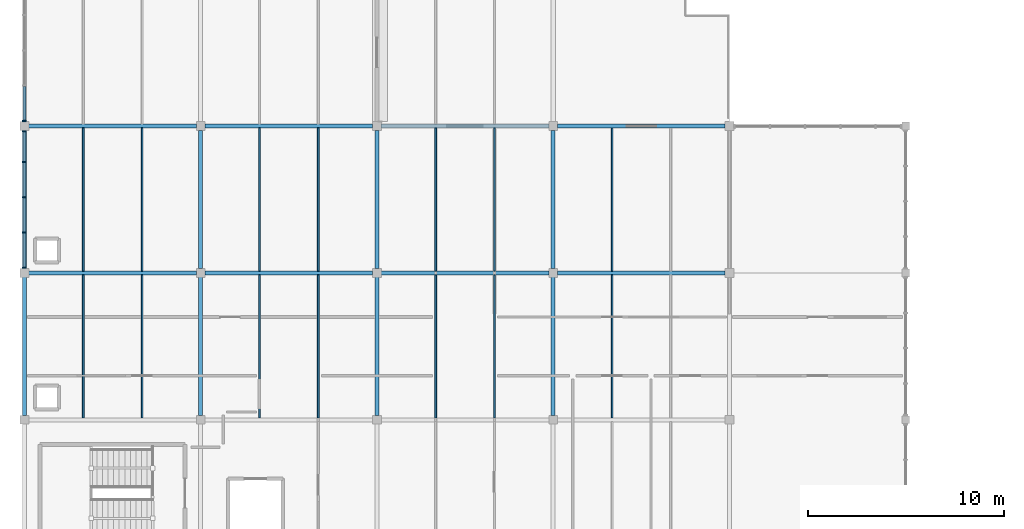
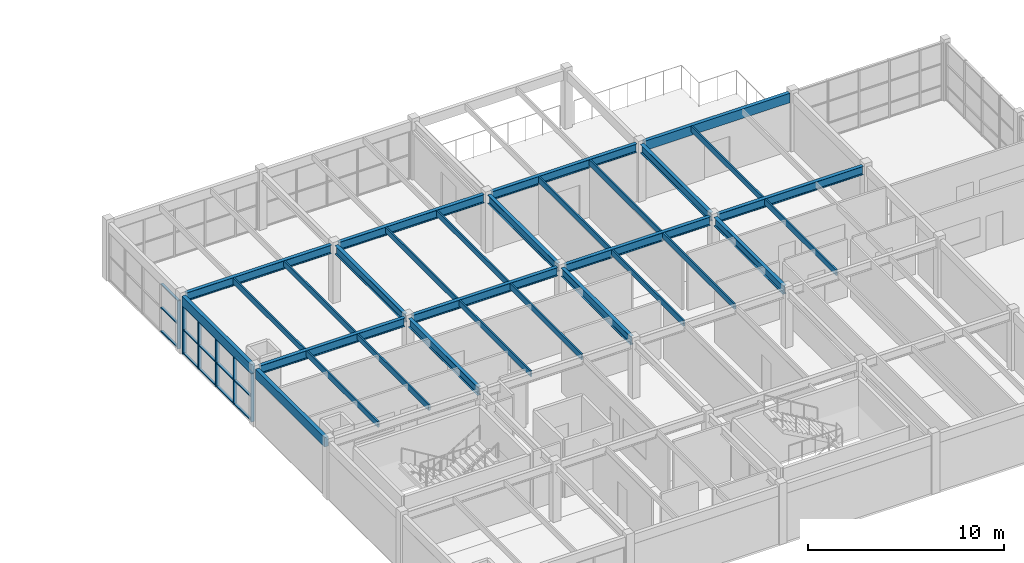
# One storey, part 4 of 45: 30 beams, 21 members, 2 elements without a shape of their own.
"""IFC4 building model written with IfcOpenShell, lengths in metres."""

from ifc_helpers import new_model, si_unit, direction, frame, origin, origin_2d, place, context, subcontext, project, spatial, rectangle, i_section, extrude, material, layer, layer_set, material_profile, profile_set, type_object, element, aggregate, save


model = new_model("IFC4")

# Units and contexts
model_context = context("Model", 3, precision=1e-05, world=origin(), true_north=direction((0.0, 1.0)))
body_context = subcontext(model_context, "Body", "Model", "MODEL_VIEW")
ifc_project = project(units=[si_unit("LENGTHUNIT", "METRE"), si_unit("AREAUNIT", "SQUARE_METRE"), si_unit("VOLUMEUNIT", "CUBIC_METRE"), si_unit("PLANEANGLEUNIT", "RADIAN"), si_unit("MASSUNIT", "GRAM", prefix="KILO")], contexts=[model_context])

# Site, building, storey
site_placement = place(None, origin())
site = spatial("IfcSite", under=ifc_project, at=site_placement, CompositionType="ELEMENT")
building_placement = place(site_placement, origin())
building = spatial("IfcBuilding", under=site, at=building_placement, Name="Marnridge Secondary College", CompositionType="ELEMENT")
storey_placement = place(building_placement, frame((0.0, 0.0, 12.300048828125)))
storey = spatial("IfcBuildingStorey", under=building, at=storey_placement, Name="L03", CompositionType="ELEMENT", Elevation=12.300048828125)

# Beams
ifc_material_1 = material(Name="Glulam timber GL18", Category="wood")
ifc_material_profile_1 = material_profile(ifc_material_1, rectangle(XDim=0.215087890625, YDim=0.5849609375, at=origin_2d()), Name="GL18 215x585")
ifc_profile_set_1 = profile_set([ifc_material_profile_1], Name="Glulam timber GL18")
beam_type_1 = type_object("IfcBeamType", Name="BM-GL585-EXT", PredefinedType="SPANDREL", material=ifc_profile_set_1)
for number, where, z_axis, x_axis, name in (
    (1, (0.0, 15.218994140625, 3.29736328125), (0.0, 1.0, 0.0), (-1.0, 0.0, 0.0), "Beam BS-L03-1117"),
    (2, (0.0, 22.718994140625, 3.29736328125), (0.0, 1.0, 0.0), (-1.0, 0.0, 0.0), "Beam BS-L03-1120"),
):
    element("IfcBeam", number, at=place(storey_placement, frame(where, z_axis=z_axis, x_axis=x_axis)), inside=storey, type_object=beam_type_1, Name=name, PredefinedType="SPANDREL", context=body_context, shape_type="SweptSolid", body=[
        extrude(rectangle(XDim=0.215087890625, YDim=0.5849609375, at=origin_2d()), origin(), (0.0, 0.0, 1.0), 7.06201171875),
    ])
beam_1_placement = place(storey_placement, frame((27.218994140625, 30.0, 3.29736328125), z_axis=(1.0, 0.0, 0.0), x_axis=(0.0, 1.0, 0.0)))
element("IfcBeam", 3, at=beam_1_placement, inside=storey, type_object=beam_type_1, Name="Beam BS-L03-1147", PredefinedType="SPANDREL", context=body_context, shape_type="SweptSolid", body=[
    extrude(rectangle(XDim=0.215087890625, YDim=0.5849609375, at=origin_2d()), origin(), (0.0, 0.0, 1.0), 8.56201171875),
])
ifc_material_2 = material(Name="Engineered timber LVL E13.2", Category="wood")
ifc_material_profile_2 = material_profile(ifc_material_2, rectangle(XDim=0.090087890625, YDim=0.360107421875, at=origin_2d()), Name="LVL 90x360")
ifc_profile_set_2 = profile_set([ifc_material_profile_2], Name="Engineered timber LVL E13.2")
beam_type_2 = type_object("IfcBeamType", Name="BM-LVL360-INT", PredefinedType="JOIST", material=ifc_profile_set_2)
for number, where, z_axis, x_axis, name in (
    (4, (3.0, 15.098388671875, 3.409912109375), (0.0, 1.0, 0.0), (-1.0, 0.0, 0.0), "Beam BJ-L03-1158"),
    (5, (6.0, 15.098388671875, 3.409912109375), (0.0, 1.0, 0.0), (-1.0, 0.0, 0.0), "Beam BJ-L03-1159"),
    (6, (3.0, 22.598388671875, 3.409912109375), (0.0, 1.0, 0.0), (-1.0, 0.0, 0.0), "Beam BJ-L03-1160"),
    (7, (6.0, 22.598388671875, 3.409912109375), (0.0, 1.0, 0.0), (-1.0, 0.0, 0.0), "Beam BJ-L03-1161"),
    (8, (12.0, 15.098388671875, 3.409912109375), (0.0, 1.0, 0.0), (-1.0, 0.0, 0.0), "Beam BJ-L03-1165"),
    (9, (15.0, 15.098388671875, 3.409912109375), (0.0, 1.0, 0.0), (-1.0, 0.0, 0.0), "Beam BJ-L03-1166"),
    (10, (12.0, 22.598388671875, 3.409912109375), (0.0, 1.0, 0.0), (-1.0, 0.0, 0.0), "Beam BJ-L03-1167"),
    (11, (15.0, 22.598388671875, 3.409912109375), (0.0, 1.0, 0.0), (-1.0, 0.0, 0.0), "Beam BJ-L03-1168"),
    (12, (21.0, 15.098388671875, 3.409912109375), (0.0, 1.0, 0.0), (-1.0, 0.0, 0.0), "Beam BJ-L03-1171"),
    (13, (24.0, 15.098388671875, 3.409912109375), (0.0, 1.0, 0.0), (-1.0, 0.0, 0.0), "Beam BJ-L03-1172"),
    (14, (21.0, 22.598388671875, 3.409912109375), (0.0, 1.0, 0.0), (-1.0, 0.0, 0.0), "Beam BJ-L03-1173"),
    (15, (24.0, 22.598388671875, 3.409912109375), (0.0, 1.0, 0.0), (-1.0, 0.0, 0.0), "Beam BJ-L03-1174"),
    (16, (30.0, 15.098388671875, 3.409912109375), (0.0, 1.0, 0.0), (-1.0, 0.0, 0.0), "Beam BJ-L03-1179"),
):
    element("IfcBeam", number, at=place(storey_placement, frame(where, z_axis=z_axis, x_axis=x_axis)), inside=storey, type_object=beam_type_2, Name=name, PredefinedType="JOIST", context=body_context, shape_type="SweptSolid", body=[
        extrude(rectangle(XDim=0.090087890625, YDim=0.360107421875, at=origin_2d()), origin(), (0.0, 0.0, 1.0), 7.30322265625),
    ])
beam_2_placement = place(storey_placement, frame((30.0, 22.598388671875, 3.409912109375), z_axis=(0.0, 1.0, 0.0), x_axis=(-1.0, 0.0, 0.0)))
element("IfcBeam", 17, at=beam_2_placement, inside=storey, type_object=beam_type_2, Name="Beam BJ-L03-1181", PredefinedType="JOIST", context=body_context, shape_type="SweptSolid", body=[
    extrude(rectangle(XDim=0.090087890625, YDim=0.360107421875, at=origin_2d()), origin(), (0.0, 0.0, 1.0), 7.300048828125),
])
ifc_material_3 = material(Name="Structural steel Grade 350 (AS/NZS 3679.1/.2, fy = 340-360 MPa)", Category="steel")
ifc_material_profile_3 = material_profile(ifc_material_3, i_section(OverallWidth=0.208740234375, OverallDepth=0.5283203125, WebThickness=0.009521484375, FlangeThickness=0.01318359375, FilletRadius=0.013916015625, at=origin_2d()), Name="530UB82.0")
ifc_profile_set_3 = profile_set([ifc_material_profile_3], Name="Structural steel Grade 350 (AS/NZS 3679.1/.2, fy = 340-360 MPa)")
beam_type_3 = type_object("IfcBeamType", Name="BM-UB530-INT", PredefinedType="BEAM", material=ifc_profile_set_3)
beam_3_placement = place(storey_placement, frame((0.218994140625, 22.5, 3.32568359375), z_axis=(1.0, 0.0, 0.0), x_axis=(0.0, 1.0, 0.0)))
element("IfcBeam", 18, at=beam_3_placement, inside=storey, type_object=beam_type_3, Name="Beam B-L03-1116", PredefinedType="BEAM", context=body_context, shape_type="SweptSolid", body=[
    extrude(i_section(OverallWidth=0.208740234375, OverallDepth=0.5283203125, WebThickness=0.009521484375, FlangeThickness=0.01318359375, FilletRadius=0.013916015625, at=origin_2d()), origin(), (0.0, 0.0, 1.0), 8.56201171875),
])
beam_4_placement = place(storey_placement, frame((9.0, 15.218994140625, 3.32568359375), z_axis=(0.0, 1.0, 0.0), x_axis=(-1.0, 0.0, 0.0)))
element("IfcBeam", 19, at=beam_4_placement, inside=storey, type_object=beam_type_3, Name="Beam B-L03-1118", PredefinedType="BEAM", context=body_context, shape_type="SweptSolid", body=[
    extrude(i_section(OverallWidth=0.208740234375, OverallDepth=0.5283203125, WebThickness=0.009521484375, FlangeThickness=0.01318359375, FilletRadius=0.013916015625, at=origin_2d()), origin(), (0.0, 0.0, 1.0), 7.06201171875),
])
beam_5_placement = place(storey_placement, frame((0.218994140625, 30.0, 3.32568359375), z_axis=(1.0, 0.0, 0.0), x_axis=(0.0, 1.0, 0.0)))
element("IfcBeam", 20, at=beam_5_placement, inside=storey, type_object=beam_type_3, Name="Beam B-L03-1119", PredefinedType="BEAM", context=body_context, shape_type="SweptSolid", body=[
    extrude(i_section(OverallWidth=0.208740234375, OverallDepth=0.5283203125, WebThickness=0.009521484375, FlangeThickness=0.01318359375, FilletRadius=0.013916015625, at=origin_2d()), origin(), (0.0, 0.0, 1.0), 8.56201171875),
])
beam_6_placement = place(storey_placement, frame((9.0, 22.718994140625, 3.32568359375), z_axis=(0.0, 1.0, 0.0), x_axis=(-1.0, 0.0, 0.0)))
element("IfcBeam", 21, at=beam_6_placement, inside=storey, type_object=beam_type_3, Name="Beam B-L03-1121", PredefinedType="BEAM", context=body_context, shape_type="SweptSolid", body=[
    extrude(i_section(OverallWidth=0.208740234375, OverallDepth=0.5283203125, WebThickness=0.009521484375, FlangeThickness=0.01318359375, FilletRadius=0.013916015625, at=origin_2d()), origin(), (0.0, 0.0, 1.0), 7.06201171875),
])
beam_7_placement = place(storey_placement, frame((9.218994140625, 22.5, 3.32568359375), z_axis=(1.0, 0.0, 0.0), x_axis=(0.0, 1.0, 0.0)))
element("IfcBeam", 22, at=beam_7_placement, inside=storey, type_object=beam_type_3, Name="Beam B-L03-1127", PredefinedType="BEAM", context=body_context, shape_type="SweptSolid", body=[
    extrude(i_section(OverallWidth=0.208740234375, OverallDepth=0.5283203125, WebThickness=0.009521484375, FlangeThickness=0.01318359375, FilletRadius=0.013916015625, at=origin_2d()), origin(), (0.0, 0.0, 1.0), 8.56201171875),
])
beam_8_placement = place(storey_placement, frame((18.0, 15.218994140625, 3.32568359375), z_axis=(0.0, 1.0, 0.0), x_axis=(-1.0, 0.0, 0.0)))
element("IfcBeam", 23, at=beam_8_placement, inside=storey, type_object=beam_type_3, Name="Beam B-L03-1128", PredefinedType="BEAM", context=body_context, shape_type="SweptSolid", body=[
    extrude(i_section(OverallWidth=0.208740234375, OverallDepth=0.5283203125, WebThickness=0.009521484375, FlangeThickness=0.01318359375, FilletRadius=0.013916015625, at=origin_2d()), origin(), (0.0, 0.0, 1.0), 7.06201171875),
])
beam_9_placement = place(storey_placement, frame((9.218994140625, 30.0, 3.32568359375), z_axis=(1.0, 0.0, 0.0), x_axis=(0.0, 1.0, 0.0)))
element("IfcBeam", 24, at=beam_9_placement, inside=storey, type_object=beam_type_3, Name="Beam B-L03-1129", PredefinedType="BEAM", context=body_context, shape_type="SweptSolid", body=[
    extrude(i_section(OverallWidth=0.208740234375, OverallDepth=0.5283203125, WebThickness=0.009521484375, FlangeThickness=0.01318359375, FilletRadius=0.013916015625, at=origin_2d()), origin(), (0.0, 0.0, 1.0), 8.56201171875),
])
beam_10_placement = place(storey_placement, frame((18.0, 22.718994140625, 3.32568359375), z_axis=(0.0, 1.0, 0.0), x_axis=(-1.0, 0.0, 0.0)))
element("IfcBeam", 25, at=beam_10_placement, inside=storey, type_object=beam_type_3, Name="Beam B-L03-1130", PredefinedType="BEAM", context=body_context, shape_type="SweptSolid", body=[
    extrude(i_section(OverallWidth=0.208740234375, OverallDepth=0.5283203125, WebThickness=0.009521484375, FlangeThickness=0.01318359375, FilletRadius=0.013916015625, at=origin_2d()), origin(), (0.0, 0.0, 1.0), 7.06201171875),
])
beam_11_placement = place(storey_placement, frame((18.218994140625, 22.5, 3.32568359375), z_axis=(1.0, 0.0, 0.0), x_axis=(0.0, 1.0, 0.0)))
element("IfcBeam", 26, at=beam_11_placement, inside=storey, type_object=beam_type_3, Name="Beam B-L03-1136", PredefinedType="BEAM", context=body_context, shape_type="SweptSolid", body=[
    extrude(i_section(OverallWidth=0.208740234375, OverallDepth=0.5283203125, WebThickness=0.009521484375, FlangeThickness=0.01318359375, FilletRadius=0.013916015625, at=origin_2d()), origin(), (0.0, 0.0, 1.0), 8.56201171875),
])
beam_12_placement = place(storey_placement, frame((27.0, 15.218994140625, 3.32568359375), z_axis=(0.0, 1.0, 0.0), x_axis=(-1.0, 0.0, 0.0)))
element("IfcBeam", 27, at=beam_12_placement, inside=storey, type_object=beam_type_3, Name="Beam B-L03-1137", PredefinedType="BEAM", context=body_context, shape_type="SweptSolid", body=[
    extrude(i_section(OverallWidth=0.208740234375, OverallDepth=0.5283203125, WebThickness=0.009521484375, FlangeThickness=0.01318359375, FilletRadius=0.013916015625, at=origin_2d()), origin(), (0.0, 0.0, 1.0), 7.06201171875),
])
beam_13_placement = place(storey_placement, frame((18.218994140625, 30.0, 3.32568359375), z_axis=(1.0, 0.0, 0.0), x_axis=(0.0, 1.0, 0.0)))
element("IfcBeam", 28, at=beam_13_placement, inside=storey, type_object=beam_type_3, Name="Beam B-L03-1138", PredefinedType="BEAM", context=body_context, shape_type="SweptSolid", body=[
    extrude(i_section(OverallWidth=0.208740234375, OverallDepth=0.5283203125, WebThickness=0.009521484375, FlangeThickness=0.01318359375, FilletRadius=0.013916015625, at=origin_2d()), origin(), (0.0, 0.0, 1.0), 8.56201171875),
])
beam_14_placement = place(storey_placement, frame((27.0, 22.718994140625, 3.32568359375), z_axis=(0.0, 1.0, 0.0), x_axis=(-1.0, 0.0, 0.0)))
element("IfcBeam", 29, at=beam_14_placement, inside=storey, type_object=beam_type_3, Name="Beam B-L03-1139", PredefinedType="BEAM", context=body_context, shape_type="SweptSolid", body=[
    extrude(i_section(OverallWidth=0.208740234375, OverallDepth=0.5283203125, WebThickness=0.009521484375, FlangeThickness=0.01318359375, FilletRadius=0.013916015625, at=origin_2d()), origin(), (0.0, 0.0, 1.0), 7.06201171875),
])
beam_15_placement = place(storey_placement, frame((27.218994140625, 22.5, 3.32568359375), z_axis=(1.0, 0.0, 0.0), x_axis=(0.0, 1.0, 0.0)))
element("IfcBeam", 30, at=beam_15_placement, inside=storey, type_object=beam_type_3, Name="Beam B-L03-1145", PredefinedType="BEAM", context=body_context, shape_type="SweptSolid", body=[
    extrude(i_section(OverallWidth=0.208740234375, OverallDepth=0.5283203125, WebThickness=0.009521484375, FlangeThickness=0.01318359375, FilletRadius=0.013916015625, at=origin_2d()), origin(), (0.0, 0.0, 1.0), 8.56201171875),
])

# Curtain wall, members
ifc_material_4 = material(Name="Bronze-anodised aluminium and solar-control glazing", Category="aluminium")
ifc_layer = layer(ifc_material_4, 0.199951171875)
ifc_layer_set = layer_set([ifc_layer], Name="CW-MOD-1800")
curtain_wall_type = type_object("IfcCurtainWallType", Name="CW-MOD-1800", PredefinedType="NOTDEFINED", material=ifc_layer_set)
curtain_wall_1_placement = place(storey_placement, origin())
curtain_wall_1 = element("IfcCurtainWall", 31, at=curtain_wall_1_placement, inside=storey, type_object=curtain_wall_type, Name="Unitised curtain wall CW-L03-136", PredefinedType="NOTDEFINED")
ifc_material_5 = material(Name="Bronze-anodised aluminium 6063-T6", Category="aluminium")
ifc_material_profile_4 = material_profile(ifc_material_5, rectangle(XDim=0.070068359375, YDim=0.199951171875, at=origin_2d()), Name="ALU 70x200")
ifc_profile_set_4 = profile_set([ifc_material_profile_4], Name="Bronze-anodised aluminium 6063-T6")
member_type_1 = type_object("IfcMemberType", Name="CWM-ALU200", PredefinedType="MULLION", material=ifc_profile_set_4)
member_1_placement = place(storey_placement, frame((0.0, 22.763916015625, 0.0), z_axis=(0.0, 0.0, 1.0), x_axis=(0.0, 1.0, 0.0)))
member_1 = element("IfcMember", 32, at=member_1_placement, type_object=member_type_1, Name="CW-L03-136 mullion 1", PredefinedType="MULLION", context=body_context, shape_type="SweptSolid", body=[
    extrude(rectangle(XDim=0.070068359375, YDim=0.199951171875, at=origin_2d()), origin(), (0.0, 0.0, 1.0), 2.9970703125),
])
member_2_placement = place(storey_placement, frame((0.0, 24.56396484375, 0.0), z_axis=(0.0, 0.0, 1.0), x_axis=(0.0, 1.0, 0.0)))
member_2 = element("IfcMember", 33, at=member_2_placement, type_object=member_type_1, Name="CW-L03-136 mullion 2", PredefinedType="MULLION", context=body_context, shape_type="SweptSolid", body=[
    extrude(rectangle(XDim=0.070068359375, YDim=0.199951171875, at=origin_2d()), origin(), (0.0, 0.0, 1.0), 2.9970703125),
])
member_3_placement = place(storey_placement, frame((0.0, 26.364013671875, 0.0), z_axis=(0.0, 0.0, 1.0), x_axis=(0.0, 1.0, 0.0)))
member_3 = element("IfcMember", 34, at=member_3_placement, type_object=member_type_1, Name="CW-L03-136 mullion 3", PredefinedType="MULLION", context=body_context, shape_type="SweptSolid", body=[
    extrude(rectangle(XDim=0.070068359375, YDim=0.199951171875, at=origin_2d()), origin(), (0.0, 0.0, 1.0), 2.9970703125),
])
member_4_placement = place(storey_placement, frame((0.0, 28.1640625, 0.0), z_axis=(0.0, 0.0, 1.0), x_axis=(0.0, 1.0, 0.0)))
member_4 = element("IfcMember", 35, at=member_4_placement, type_object=member_type_1, Name="CW-L03-136 mullion 4", PredefinedType="MULLION", context=body_context, shape_type="SweptSolid", body=[
    extrude(rectangle(XDim=0.070068359375, YDim=0.199951171875, at=origin_2d()), origin(), (0.0, 0.0, 1.0), 2.9970703125),
])
member_5_placement = place(storey_placement, frame((0.0, 29.736083984375, 0.0), z_axis=(0.0, 0.0, 1.0), x_axis=(0.0, 1.0, 0.0)))
member_5 = element("IfcMember", 36, at=member_5_placement, type_object=member_type_1, Name="CW-L03-136 mullion 5", PredefinedType="MULLION", context=body_context, shape_type="SweptSolid", body=[
    extrude(rectangle(XDim=0.070068359375, YDim=0.199951171875, at=origin_2d()), origin(), (0.0, 0.0, 1.0), 2.9970703125),
])

# Curtain wall, member
curtain_wall_2_placement = place(storey_placement, origin())
curtain_wall_2 = element("IfcCurtainWall", 37, at=curtain_wall_2_placement, inside=storey, type_object=curtain_wall_type, Name="Unitised curtain wall CW-L03-137", PredefinedType="NOTDEFINED")
member_6_placement = place(storey_placement, frame((0.0, 30.263916015625, 0.0), z_axis=(0.0, 0.0, 1.0), x_axis=(0.0, 1.0, 0.0)))
member_6 = element("IfcMember", 38, at=member_6_placement, type_object=member_type_1, Name="CW-L03-137 mullion 1", PredefinedType="MULLION", context=body_context, shape_type="SweptSolid", body=[
    extrude(rectangle(XDim=0.070068359375, YDim=0.199951171875, at=origin_2d()), origin(), (0.0, 0.0, 1.0), 2.9970703125),
])

# Member
ifc_material_6 = material(Name="Anodised aluminium 6063-T6", Category="aluminium")
ifc_material_profile_5 = material_profile(ifc_material_6, rectangle(XDim=0.06494140625, YDim=0.139892578125, at=origin_2d()), Name="ALU 65x140")
ifc_profile_set_5 = profile_set([ifc_material_profile_5], Name="Anodised aluminium 6063-T6")
member_type_2 = type_object("IfcMemberType", Name="CWT-ALU140", PredefinedType="USERDEFINED", material=ifc_profile_set_5)
member_7_placement = place(storey_placement, frame((0.0, 22.799072265625, 0.032470703125), z_axis=(0.0, 1.0, 0.0), x_axis=(0.0, 0.0, 1.0)))
member_7 = element("IfcMember", 39, at=member_7_placement, type_object=member_type_2, Name="CW-L03-136 transom 1.1", ObjectType="TRANSOM", PredefinedType="USERDEFINED", context=body_context, shape_type="SweptSolid", body=[
    extrude(rectangle(XDim=0.06494140625, YDim=0.139892578125, at=origin_2d()), origin(), (0.0, 0.0, 1.0), 1.72998046875),
])

member_8_placement = place(storey_placement, frame((0.0, 22.799072265625, 1.4990234375), z_axis=(0.0, 1.0, 0.0), x_axis=(0.0, 0.0, 1.0)))
member_8 = element("IfcMember", 40, at=member_8_placement, type_object=member_type_2, Name="CW-L03-136 transom 1.2", ObjectType="TRANSOM", PredefinedType="USERDEFINED", context=body_context, shape_type="SweptSolid", body=[
    extrude(rectangle(XDim=0.06494140625, YDim=0.139892578125, at=origin_2d()), origin(), (0.0, 0.0, 1.0), 1.72998046875),
])

member_9_placement = place(storey_placement, frame((0.0, 22.799072265625, 2.96435546875), z_axis=(0.0, 1.0, 0.0), x_axis=(0.0, 0.0, 1.0)))
member_9 = element("IfcMember", 41, at=member_9_placement, type_object=member_type_2, Name="CW-L03-136 transom 1.3", ObjectType="TRANSOM", PredefinedType="USERDEFINED", context=body_context, shape_type="SweptSolid", body=[
    extrude(rectangle(XDim=0.06494140625, YDim=0.139892578125, at=origin_2d()), origin(), (0.0, 0.0, 1.0), 1.72998046875),
])

member_10_placement = place(storey_placement, frame((0.0, 24.59912109375, 0.032470703125), z_axis=(0.0, 1.0, 0.0), x_axis=(0.0, 0.0, 1.0)))
member_10 = element("IfcMember", 42, at=member_10_placement, type_object=member_type_2, Name="CW-L03-136 transom 2.1", ObjectType="TRANSOM", PredefinedType="USERDEFINED", context=body_context, shape_type="SweptSolid", body=[
    extrude(rectangle(XDim=0.06494140625, YDim=0.139892578125, at=origin_2d()), origin(), (0.0, 0.0, 1.0), 1.72998046875),
])

member_11_placement = place(storey_placement, frame((0.0, 24.59912109375, 1.4990234375), z_axis=(0.0, 1.0, 0.0), x_axis=(0.0, 0.0, 1.0)))
member_11 = element("IfcMember", 43, at=member_11_placement, type_object=member_type_2, Name="CW-L03-136 transom 2.2", ObjectType="TRANSOM", PredefinedType="USERDEFINED", context=body_context, shape_type="SweptSolid", body=[
    extrude(rectangle(XDim=0.06494140625, YDim=0.139892578125, at=origin_2d()), origin(), (0.0, 0.0, 1.0), 1.72998046875),
])

member_12_placement = place(storey_placement, frame((0.0, 24.59912109375, 2.96435546875), z_axis=(0.0, 1.0, 0.0), x_axis=(0.0, 0.0, 1.0)))
member_12 = element("IfcMember", 44, at=member_12_placement, type_object=member_type_2, Name="CW-L03-136 transom 2.3", ObjectType="TRANSOM", PredefinedType="USERDEFINED", context=body_context, shape_type="SweptSolid", body=[
    extrude(rectangle(XDim=0.06494140625, YDim=0.139892578125, at=origin_2d()), origin(), (0.0, 0.0, 1.0), 1.72998046875),
])

member_13_placement = place(storey_placement, frame((0.0, 26.39892578125, 0.032470703125), z_axis=(0.0, 1.0, 0.0), x_axis=(0.0, 0.0, 1.0)))
member_13 = element("IfcMember", 45, at=member_13_placement, type_object=member_type_2, Name="CW-L03-136 transom 3.1", ObjectType="TRANSOM", PredefinedType="USERDEFINED", context=body_context, shape_type="SweptSolid", body=[
    extrude(rectangle(XDim=0.06494140625, YDim=0.139892578125, at=origin_2d()), origin(), (0.0, 0.0, 1.0), 1.72998046875),
])

member_14_placement = place(storey_placement, frame((0.0, 26.39892578125, 1.4990234375), z_axis=(0.0, 1.0, 0.0), x_axis=(0.0, 0.0, 1.0)))
member_14 = element("IfcMember", 46, at=member_14_placement, type_object=member_type_2, Name="CW-L03-136 transom 3.2", ObjectType="TRANSOM", PredefinedType="USERDEFINED", context=body_context, shape_type="SweptSolid", body=[
    extrude(rectangle(XDim=0.06494140625, YDim=0.139892578125, at=origin_2d()), origin(), (0.0, 0.0, 1.0), 1.72998046875),
])

member_15_placement = place(storey_placement, frame((0.0, 26.39892578125, 2.96435546875), z_axis=(0.0, 1.0, 0.0), x_axis=(0.0, 0.0, 1.0)))
member_15 = element("IfcMember", 47, at=member_15_placement, type_object=member_type_2, Name="CW-L03-136 transom 3.3", ObjectType="TRANSOM", PredefinedType="USERDEFINED", context=body_context, shape_type="SweptSolid", body=[
    extrude(rectangle(XDim=0.06494140625, YDim=0.139892578125, at=origin_2d()), origin(), (0.0, 0.0, 1.0), 1.72998046875),
])

member_16_placement = place(storey_placement, frame((0.0, 28.198974609375, 0.032470703125), z_axis=(0.0, 1.0, 0.0), x_axis=(0.0, 0.0, 1.0)))
member_16 = element("IfcMember", 48, at=member_16_placement, type_object=member_type_2, Name="CW-L03-136 transom 4.1", ObjectType="TRANSOM", PredefinedType="USERDEFINED", context=body_context, shape_type="SweptSolid", body=[
    extrude(rectangle(XDim=0.06494140625, YDim=0.139892578125, at=origin_2d()), origin(), (0.0, 0.0, 1.0), 1.501953125),
])

member_17_placement = place(storey_placement, frame((0.0, 28.198974609375, 1.4990234375), z_axis=(0.0, 1.0, 0.0), x_axis=(0.0, 0.0, 1.0)))
member_17 = element("IfcMember", 49, at=member_17_placement, type_object=member_type_2, Name="CW-L03-136 transom 4.2", ObjectType="TRANSOM", PredefinedType="USERDEFINED", context=body_context, shape_type="SweptSolid", body=[
    extrude(rectangle(XDim=0.06494140625, YDim=0.139892578125, at=origin_2d()), origin(), (0.0, 0.0, 1.0), 1.501953125),
])

member_18_placement = place(storey_placement, frame((0.0, 28.198974609375, 2.96435546875), z_axis=(0.0, 1.0, 0.0), x_axis=(0.0, 0.0, 1.0)))
member_18 = element("IfcMember", 50, at=member_18_placement, type_object=member_type_2, Name="CW-L03-136 transom 4.3", ObjectType="TRANSOM", PredefinedType="USERDEFINED", context=body_context, shape_type="SweptSolid", body=[
    extrude(rectangle(XDim=0.06494140625, YDim=0.139892578125, at=origin_2d()), origin(), (0.0, 0.0, 1.0), 1.501953125),
])

aggregate(curtain_wall_1, [member_1, member_2, member_3, member_4, member_5, member_7, member_8, member_9, member_10, member_11, member_12, member_13, member_14, member_15, member_16, member_17, member_18])

member_19_placement = place(storey_placement, frame((0.0, 30.299072265625, 0.032470703125), z_axis=(0.0, 1.0, 0.0), x_axis=(0.0, 0.0, 1.0)))
member_19 = element("IfcMember", 51, at=member_19_placement, type_object=member_type_2, Name="CW-L03-137 transom 1.1", ObjectType="TRANSOM", PredefinedType="USERDEFINED", context=body_context, shape_type="SweptSolid", body=[
    extrude(rectangle(XDim=0.06494140625, YDim=0.139892578125, at=origin_2d()), origin(), (0.0, 0.0, 1.0), 1.72998046875),
])

member_20_placement = place(storey_placement, frame((0.0, 30.299072265625, 1.4990234375), z_axis=(0.0, 1.0, 0.0), x_axis=(0.0, 0.0, 1.0)))
member_20 = element("IfcMember", 52, at=member_20_placement, type_object=member_type_2, Name="CW-L03-137 transom 1.2", ObjectType="TRANSOM", PredefinedType="USERDEFINED", context=body_context, shape_type="SweptSolid", body=[
    extrude(rectangle(XDim=0.06494140625, YDim=0.139892578125, at=origin_2d()), origin(), (0.0, 0.0, 1.0), 1.72998046875),
])

member_21_placement = place(storey_placement, frame((0.0, 30.299072265625, 2.96435546875), z_axis=(0.0, 1.0, 0.0), x_axis=(0.0, 0.0, 1.0)))
member_21 = element("IfcMember", 53, at=member_21_placement, type_object=member_type_2, Name="CW-L03-137 transom 1.3", ObjectType="TRANSOM", PredefinedType="USERDEFINED", context=body_context, shape_type="SweptSolid", body=[
    extrude(rectangle(XDim=0.06494140625, YDim=0.139892578125, at=origin_2d()), origin(), (0.0, 0.0, 1.0), 1.72998046875),
])

aggregate(curtain_wall_2, [member_6, member_19, member_20, member_21])

save(model, "model.ifc")
